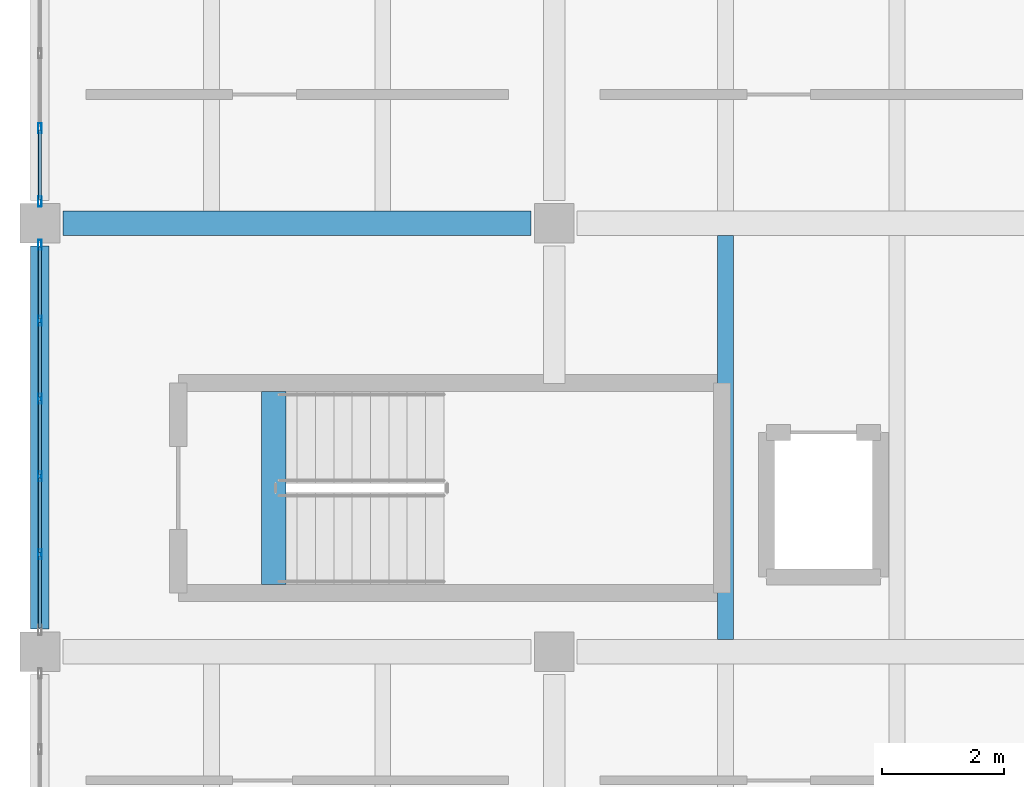
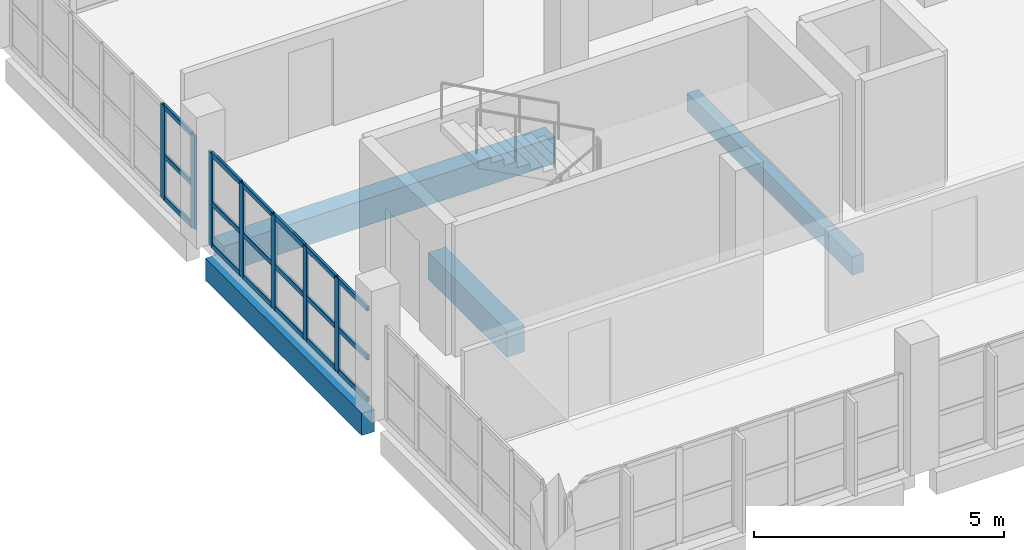
# One storey, part 4 of 33: 25 members, 4 beams, 2 elements without a shape of their own.
"""IFC4 building model written with IfcOpenShell, lengths in metres."""

from ifc_helpers import new_model, si_unit, direction, frame, origin, origin_2d, place, context, subcontext, project, spatial, rectangle, hollow_rectangle, extrude, material, layer, layer_set, material_profile, profile_set, type_object, element, aggregate, save


model = new_model("IFC4")

# Units and contexts
model_context = context("Model", 3, precision=1e-05, world=origin(), true_north=direction((0.0, 1.0)))
body_context = subcontext(model_context, "Body", "Model", "MODEL_VIEW")
ifc_project = project(units=[si_unit("LENGTHUNIT", "METRE"), si_unit("AREAUNIT", "SQUARE_METRE"), si_unit("VOLUMEUNIT", "CUBIC_METRE"), si_unit("PLANEANGLEUNIT", "RADIAN"), si_unit("MASSUNIT", "GRAM", prefix="KILO"), si_unit("THERMODYNAMICTEMPERATUREUNIT", "KELVIN"), si_unit("POWERUNIT", "WATT")], contexts=[model_context])

# Site, building, storey
site_placement = place(None, origin())
site = spatial("IfcSite", under=ifc_project, at=site_placement, CompositionType="ELEMENT")
building_placement = place(site_placement, origin())
building = spatial("IfcBuilding", under=site, at=building_placement, Name="Mavoryth Pier Ferry Terminal", CompositionType="ELEMENT")
storey_placement = place(building_placement, frame((0.0, 0.0, 13.1201171875)))
storey = spatial("IfcBuildingStorey", under=building, at=storey_placement, Name="L03", CompositionType="ELEMENT", Elevation=13.1201171875)

# Beams
ifc_material_1 = material(Name="Concrete C35/45", Category="concrete")
ifc_material_profile_1 = material_profile(ifc_material_1, rectangle(XDim=0.39990234375, YDim=0.64990234375, at=origin_2d()), Name="RC 400x650", Category="concrete")
ifc_profile_set_1 = profile_set([ifc_material_profile_1], Name="Concrete C35/45 - RC 400x650")
beam_type_1 = type_object("IfcBeamType", Name="Girder-RC-400x650", PredefinedType="BEAM", material=ifc_profile_set_1)
beam_1_placement = place(storey_placement, frame((42.375, 14.0, -0.585205078125), z_axis=(1.0, 0.0, 0.0), x_axis=(0.0, 1.0, 0.0)))
element("IfcBeam", 1, at=beam_1_placement, inside=storey, type_object=beam_type_1, Name="Beam B03-BG05-1245", PredefinedType="BEAM", context=body_context, shape_type="SweptSolid", body=[
    extrude(rectangle(XDim=0.39990234375, YDim=0.64990234375, at=origin_2d()), origin(), (0.0, 0.0, 1.0), 7.64990234375),
])
beam_2_placement = place(storey_placement, frame((45.820068359375, 8.10009765625, -0.3251953125), z_axis=(0.0, 1.0, 0.0), x_axis=(-1.0, 0.0, 0.0)))
element("IfcBeam", 2, at=beam_2_placement, inside=storey, type_object=beam_type_1, Name="Beam B03-BG05-1586", PredefinedType="BEAM", context=body_context, shape_type="SweptSolid", body=[
    extrude(rectangle(XDim=0.39990234375, YDim=0.64990234375, at=origin_2d()), origin(), (0.0, 0.0, 1.0), 3.14990234375),
])
ifc_material_profile_2 = material_profile(ifc_material_1, rectangle(XDim=0.260009765625, YDim=0.449951171875, at=origin_2d()), Name="RC 260x450", Category="concrete")
ifc_profile_set_2 = profile_set([ifc_material_profile_2], Name="Concrete C35/45 - RC 260x450")
beam_type_2 = type_object("IfcBeamType", Name="Joist-RC-260x450", PredefinedType="JOIST", material=ifc_profile_set_2)
beam_3_placement = place(storey_placement, frame((53.199951171875, 7.199951171875, -0.485107421875), z_axis=(0.0, 1.0, 0.0), x_axis=(-1.0, 0.0, 0.0)))
element("IfcBeam", 3, at=beam_3_placement, inside=storey, type_object=beam_type_2, Name="Beam B03-BJ03-1284", PredefinedType="JOIST", context=body_context, shape_type="SweptSolid", body=[
    extrude(rectangle(XDim=0.260009765625, YDim=0.449951171875, at=origin_2d()), origin(), (0.0, 0.0, 1.0), 6.60009765625),
])

# Curtain wall, members
ifc_material_2 = material(Name="Anodised Aluminium and Solar-Control Low-E Glass", Category="aluminium")
ifc_layer = layer(ifc_material_2, 0.239990234375, Name="Anodised Aluminium and Solar-Control Low-E Glass", Category="aluminium")
ifc_layer_set = layer_set([ifc_layer], Name="Anodised Aluminium and Solar-Control Low-E Glass - CW-Operations-Mod1200")
curtain_wall_type = type_object("IfcCurtainWallType", Name="CW-Operations-Mod1200", PredefinedType="USERDEFINED", material=ifc_layer_set)
curtain_wall_1_placement = place(storey_placement, origin())
curtain_wall_1 = element("IfcCurtainWall", 4, at=curtain_wall_1_placement, inside=storey, type_object=curtain_wall_type, Name="Curtain Wall CW-0322-147", ObjectType="UNITISED CURTAIN WALL", PredefinedType="USERDEFINED")
ifc_material_3 = material(Name="Anodised Aluminium EN AW-6063", Category="aluminium")
ifc_material_profile_3 = material_profile(ifc_material_3, hollow_rectangle(XDim=0.06005859375, YDim=0.1650390625, WallThickness=0.00390625, InnerFilletRadius=0.00390625, OuterFilletRadius=0.008056640625, at=origin_2d()), Name="AL-MULL 165x60x4", Category="aluminium")
ifc_profile_set_3 = profile_set([ifc_material_profile_3], Name="Anodised Aluminium EN AW-6063 - AL-MULL 165x60x4")
member_type_1 = type_object("IfcMemberType", Name="Mullion-Alum-165x60", PredefinedType="MULLION", material=ifc_profile_set_3)
member_1_placement = place(storey_placement, frame((42.0, 13.64501953125, 0.0), z_axis=(0.0, 0.0, 1.0), x_axis=(1.0, 0.0, 0.0)))
member_1 = element("IfcMember", 5, at=member_1_placement, type_object=member_type_1, Name="CW06 mullion 1", PredefinedType="MULLION", context=body_context, shape_type="SweptSolid", body=[
    extrude(hollow_rectangle(XDim=0.06005859375, YDim=0.1650390625, WallThickness=0.00390625, InnerFilletRadius=0.00390625, OuterFilletRadius=0.008056640625, at=origin_2d()), origin(), (0.0, 0.0, 1.0), 2.27490234375),
])
member_2_placement = place(storey_placement, frame((42.0, 12.405029296875, 0.0), z_axis=(0.0, 0.0, 1.0), x_axis=(1.0, 0.0, 0.0)))
member_2 = element("IfcMember", 6, at=member_2_placement, type_object=member_type_1, Name="CW06 mullion 2", PredefinedType="MULLION", context=body_context, shape_type="SweptSolid", body=[
    extrude(hollow_rectangle(XDim=0.06005859375, YDim=0.1650390625, WallThickness=0.00390625, InnerFilletRadius=0.00390625, OuterFilletRadius=0.008056640625, at=origin_2d()), origin(), (0.0, 0.0, 1.0), 2.27490234375),
])
member_3_placement = place(storey_placement, frame((42.0, 11.135009765625, 0.0), z_axis=(0.0, 0.0, 1.0), x_axis=(1.0, 0.0, 0.0)))
member_3 = element("IfcMember", 7, at=member_3_placement, type_object=member_type_1, Name="CW06 mullion 3", PredefinedType="MULLION", context=body_context, shape_type="SweptSolid", body=[
    extrude(hollow_rectangle(XDim=0.06005859375, YDim=0.1650390625, WallThickness=0.00390625, InnerFilletRadius=0.00390625, OuterFilletRadius=0.008056640625, at=origin_2d()), origin(), (0.0, 0.0, 1.0), 2.27490234375),
])
member_4_placement = place(storey_placement, frame((42.0, 9.864990234375, 0.0), z_axis=(0.0, 0.0, 1.0), x_axis=(1.0, 0.0, 0.0)))
member_4 = element("IfcMember", 8, at=member_4_placement, type_object=member_type_1, Name="CW06 mullion 4", PredefinedType="MULLION", context=body_context, shape_type="SweptSolid", body=[
    extrude(hollow_rectangle(XDim=0.06005859375, YDim=0.1650390625, WallThickness=0.00390625, InnerFilletRadius=0.00390625, OuterFilletRadius=0.008056640625, at=origin_2d()), origin(), (0.0, 0.0, 1.0), 2.27490234375),
])
member_5_placement = place(storey_placement, frame((42.0, 8.594970703125, 0.0), z_axis=(0.0, 0.0, 1.0), x_axis=(1.0, 0.0, 0.0)))
member_5 = element("IfcMember", 9, at=member_5_placement, type_object=member_type_1, Name="CW06 mullion 5", PredefinedType="MULLION", context=body_context, shape_type="SweptSolid", body=[
    extrude(hollow_rectangle(XDim=0.06005859375, YDim=0.1650390625, WallThickness=0.00390625, InnerFilletRadius=0.00390625, OuterFilletRadius=0.008056640625, at=origin_2d()), origin(), (0.0, 0.0, 1.0), 2.27490234375),
])

curtain_wall_2_placement = place(storey_placement, origin())
curtain_wall_2 = element("IfcCurtainWall", 10, at=curtain_wall_2_placement, inside=storey, type_object=curtain_wall_type, Name="Curtain Wall CW-0322-148", ObjectType="UNITISED CURTAIN WALL", PredefinedType="USERDEFINED")
member_6_placement = place(storey_placement, frame((42.0, 15.550048828125, 0.0), z_axis=(0.0, 0.0, 1.0), x_axis=(1.0, 0.0, 0.0)))
member_6 = element("IfcMember", 11, at=member_6_placement, type_object=member_type_1, Name="CW06 mullion 6", PredefinedType="MULLION", context=body_context, shape_type="SweptSolid", body=[
    extrude(hollow_rectangle(XDim=0.06005859375, YDim=0.1650390625, WallThickness=0.00390625, InnerFilletRadius=0.00390625, OuterFilletRadius=0.008056640625, at=origin_2d()), origin(), (0.0, 0.0, 1.0), 2.27490234375),
])
member_7_placement = place(storey_placement, frame((42.0, 14.35498046875, 0.0), z_axis=(0.0, 0.0, 1.0), x_axis=(1.0, 0.0, 0.0)))
member_7 = element("IfcMember", 12, at=member_7_placement, type_object=member_type_1, Name="CW06 mullion 7", PredefinedType="MULLION", context=body_context, shape_type="SweptSolid", body=[
    extrude(hollow_rectangle(XDim=0.06005859375, YDim=0.1650390625, WallThickness=0.00390625, InnerFilletRadius=0.00390625, OuterFilletRadius=0.008056640625, at=origin_2d()), origin(), (0.0, 0.0, 1.0), 2.27490234375),
])

# Beam
ifc_material_profile_4 = material_profile(ifc_material_1, rectangle(XDim=0.300048828125, YDim=0.5400390625, at=origin_2d()), Name="RC 300x540", Category="concrete")
ifc_profile_set_4 = profile_set([ifc_material_profile_4], Name="Concrete C35/45 - RC 300x540")
beam_type_3 = type_object("IfcBeamType", Name="Spandrel-RC-300x540", PredefinedType="SPANDREL", material=ifc_profile_set_4)
beam_4_placement = place(storey_placement, frame((42.0, 7.375, -0.530029296875), z_axis=(0.0, 1.0, 0.0), x_axis=(-1.0, 0.0, 0.0)))
element("IfcBeam", 13, at=beam_4_placement, inside=storey, type_object=beam_type_3, Name="Beam B03-SP02-1258", PredefinedType="SPANDREL", context=body_context, shape_type="SweptSolid", body=[
    extrude(rectangle(XDim=0.300048828125, YDim=0.5400390625, at=origin_2d()), origin(), (0.0, 0.0, 1.0), 6.25),
])

# Member
ifc_material_profile_5 = material_profile(ifc_material_3, hollow_rectangle(XDim=0.06005859375, YDim=0.125, WallThickness=0.00390625, InnerFilletRadius=0.00390625, OuterFilletRadius=0.008056640625, at=origin_2d()), Name="AL-TRAN 125x60x4", Category="aluminium")
ifc_profile_set_5 = profile_set([ifc_material_profile_5], Name="Anodised Aluminium EN AW-6063 - AL-TRAN 125x60x4")
member_type_2 = type_object("IfcMemberType", Name="Transom-Alum-125x60", PredefinedType="USERDEFINED", material=ifc_profile_set_5)
member_8_placement = place(storey_placement, frame((42.0, 13.614990234375, 0.02978515625), z_axis=(0.0, -1.0, 0.0), x_axis=(1.0, 0.0, 0.0)))
member_8 = element("IfcMember", 14, at=member_8_placement, type_object=member_type_2, Name="CW06 transom 1.1", ObjectType="TRANSOM", PredefinedType="USERDEFINED", context=body_context, shape_type="SweptSolid", body=[
    extrude(hollow_rectangle(XDim=0.06005859375, YDim=0.125, WallThickness=0.00390625, InnerFilletRadius=0.00390625, OuterFilletRadius=0.008056640625, at=origin_2d()), origin(), (0.0, 0.0, 1.0), 1.179931640625),
])

member_9_placement = place(storey_placement, frame((42.0, 13.614990234375, 1.0498046875), z_axis=(0.0, -1.0, 0.0), x_axis=(1.0, 0.0, 0.0)))
member_9 = element("IfcMember", 15, at=member_9_placement, type_object=member_type_2, Name="CW06 transom 1.2", ObjectType="TRANSOM", PredefinedType="USERDEFINED", context=body_context, shape_type="SweptSolid", body=[
    extrude(hollow_rectangle(XDim=0.06005859375, YDim=0.125, WallThickness=0.00390625, InnerFilletRadius=0.00390625, OuterFilletRadius=0.008056640625, at=origin_2d()), origin(), (0.0, 0.0, 1.0), 1.179931640625),
])

member_10_placement = place(storey_placement, frame((42.0, 13.614990234375, 2.244873046875), z_axis=(0.0, -1.0, 0.0), x_axis=(1.0, 0.0, 0.0)))
member_10 = element("IfcMember", 16, at=member_10_placement, type_object=member_type_2, Name="CW06 transom 1.3", ObjectType="TRANSOM", PredefinedType="USERDEFINED", context=body_context, shape_type="SweptSolid", body=[
    extrude(hollow_rectangle(XDim=0.06005859375, YDim=0.125, WallThickness=0.00390625, InnerFilletRadius=0.00390625, OuterFilletRadius=0.008056640625, at=origin_2d()), origin(), (0.0, 0.0, 1.0), 1.179931640625),
])

member_11_placement = place(storey_placement, frame((42.0, 12.375, 0.02978515625), z_axis=(0.0, -1.0, 0.0), x_axis=(1.0, 0.0, 0.0)))
member_11 = element("IfcMember", 17, at=member_11_placement, type_object=member_type_2, Name="CW06 transom 2.1", ObjectType="TRANSOM", PredefinedType="USERDEFINED", context=body_context, shape_type="SweptSolid", body=[
    extrude(hollow_rectangle(XDim=0.06005859375, YDim=0.125, WallThickness=0.00390625, InnerFilletRadius=0.00390625, OuterFilletRadius=0.008056640625, at=origin_2d()), origin(), (0.0, 0.0, 1.0), 1.2099609375),
])

member_12_placement = place(storey_placement, frame((42.0, 12.375, 1.0498046875), z_axis=(0.0, -1.0, 0.0), x_axis=(1.0, 0.0, 0.0)))
member_12 = element("IfcMember", 18, at=member_12_placement, type_object=member_type_2, Name="CW06 transom 2.2", ObjectType="TRANSOM", PredefinedType="USERDEFINED", context=body_context, shape_type="SweptSolid", body=[
    extrude(hollow_rectangle(XDim=0.06005859375, YDim=0.125, WallThickness=0.00390625, InnerFilletRadius=0.00390625, OuterFilletRadius=0.008056640625, at=origin_2d()), origin(), (0.0, 0.0, 1.0), 1.2099609375),
])

member_13_placement = place(storey_placement, frame((42.0, 12.375, 2.244873046875), z_axis=(0.0, -1.0, 0.0), x_axis=(1.0, 0.0, 0.0)))
member_13 = element("IfcMember", 19, at=member_13_placement, type_object=member_type_2, Name="CW06 transom 2.3", ObjectType="TRANSOM", PredefinedType="USERDEFINED", context=body_context, shape_type="SweptSolid", body=[
    extrude(hollow_rectangle(XDim=0.06005859375, YDim=0.125, WallThickness=0.00390625, InnerFilletRadius=0.00390625, OuterFilletRadius=0.008056640625, at=origin_2d()), origin(), (0.0, 0.0, 1.0), 1.2099609375),
])

member_14_placement = place(storey_placement, frame((42.0, 11.10498046875, 0.02978515625), z_axis=(0.0, -1.0, 0.0), x_axis=(1.0, 0.0, 0.0)))
member_14 = element("IfcMember", 20, at=member_14_placement, type_object=member_type_2, Name="CW06 transom 3.1", ObjectType="TRANSOM", PredefinedType="USERDEFINED", context=body_context, shape_type="SweptSolid", body=[
    extrude(hollow_rectangle(XDim=0.06005859375, YDim=0.125, WallThickness=0.00390625, InnerFilletRadius=0.00390625, OuterFilletRadius=0.008056640625, at=origin_2d()), origin(), (0.0, 0.0, 1.0), 1.2099609375),
])

member_15_placement = place(storey_placement, frame((42.0, 11.10498046875, 1.0498046875), z_axis=(0.0, -1.0, 0.0), x_axis=(1.0, 0.0, 0.0)))
member_15 = element("IfcMember", 21, at=member_15_placement, type_object=member_type_2, Name="CW06 transom 3.2", ObjectType="TRANSOM", PredefinedType="USERDEFINED", context=body_context, shape_type="SweptSolid", body=[
    extrude(hollow_rectangle(XDim=0.06005859375, YDim=0.125, WallThickness=0.00390625, InnerFilletRadius=0.00390625, OuterFilletRadius=0.008056640625, at=origin_2d()), origin(), (0.0, 0.0, 1.0), 1.2099609375),
])

member_16_placement = place(storey_placement, frame((42.0, 11.10498046875, 2.244873046875), z_axis=(0.0, -1.0, 0.0), x_axis=(1.0, 0.0, 0.0)))
member_16 = element("IfcMember", 22, at=member_16_placement, type_object=member_type_2, Name="CW06 transom 3.3", ObjectType="TRANSOM", PredefinedType="USERDEFINED", context=body_context, shape_type="SweptSolid", body=[
    extrude(hollow_rectangle(XDim=0.06005859375, YDim=0.125, WallThickness=0.00390625, InnerFilletRadius=0.00390625, OuterFilletRadius=0.008056640625, at=origin_2d()), origin(), (0.0, 0.0, 1.0), 1.2099609375),
])

member_17_placement = place(storey_placement, frame((42.0, 9.8349609375, 0.02978515625), z_axis=(0.0, -1.0, 0.0), x_axis=(1.0, 0.0, 0.0)))
member_17 = element("IfcMember", 23, at=member_17_placement, type_object=member_type_2, Name="CW06 transom 4.1", ObjectType="TRANSOM", PredefinedType="USERDEFINED", context=body_context, shape_type="SweptSolid", body=[
    extrude(hollow_rectangle(XDim=0.06005859375, YDim=0.125, WallThickness=0.00390625, InnerFilletRadius=0.00390625, OuterFilletRadius=0.008056640625, at=origin_2d()), origin(), (0.0, 0.0, 1.0), 1.2099609375),
])

member_18_placement = place(storey_placement, frame((42.0, 9.8349609375, 1.0498046875), z_axis=(0.0, -1.0, 0.0), x_axis=(1.0, 0.0, 0.0)))
member_18 = element("IfcMember", 24, at=member_18_placement, type_object=member_type_2, Name="CW06 transom 4.2", ObjectType="TRANSOM", PredefinedType="USERDEFINED", context=body_context, shape_type="SweptSolid", body=[
    extrude(hollow_rectangle(XDim=0.06005859375, YDim=0.125, WallThickness=0.00390625, InnerFilletRadius=0.00390625, OuterFilletRadius=0.008056640625, at=origin_2d()), origin(), (0.0, 0.0, 1.0), 1.2099609375),
])

member_19_placement = place(storey_placement, frame((42.0, 9.8349609375, 2.244873046875), z_axis=(0.0, -1.0, 0.0), x_axis=(1.0, 0.0, 0.0)))
member_19 = element("IfcMember", 25, at=member_19_placement, type_object=member_type_2, Name="CW06 transom 4.3", ObjectType="TRANSOM", PredefinedType="USERDEFINED", context=body_context, shape_type="SweptSolid", body=[
    extrude(hollow_rectangle(XDim=0.06005859375, YDim=0.125, WallThickness=0.00390625, InnerFilletRadius=0.00390625, OuterFilletRadius=0.008056640625, at=origin_2d()), origin(), (0.0, 0.0, 1.0), 1.2099609375),
])

member_20_placement = place(storey_placement, frame((42.0, 8.56494140625, 0.02978515625), z_axis=(0.0, -1.0, 0.0), x_axis=(1.0, 0.0, 0.0)))
member_20 = element("IfcMember", 26, at=member_20_placement, type_object=member_type_2, Name="CW06 transom 5.1", ObjectType="TRANSOM", PredefinedType="USERDEFINED", context=body_context, shape_type="SweptSolid", body=[
    extrude(hollow_rectangle(XDim=0.06005859375, YDim=0.125, WallThickness=0.00390625, InnerFilletRadius=0.00390625, OuterFilletRadius=0.008056640625, at=origin_2d()), origin(), (0.0, 0.0, 1.0), 1.179931640625),
])

member_21_placement = place(storey_placement, frame((42.0, 8.56494140625, 1.0498046875), z_axis=(0.0, -1.0, 0.0), x_axis=(1.0, 0.0, 0.0)))
member_21 = element("IfcMember", 27, at=member_21_placement, type_object=member_type_2, Name="CW06 transom 5.2", ObjectType="TRANSOM", PredefinedType="USERDEFINED", context=body_context, shape_type="SweptSolid", body=[
    extrude(hollow_rectangle(XDim=0.06005859375, YDim=0.125, WallThickness=0.00390625, InnerFilletRadius=0.00390625, OuterFilletRadius=0.008056640625, at=origin_2d()), origin(), (0.0, 0.0, 1.0), 1.179931640625),
])

member_22_placement = place(storey_placement, frame((42.0, 8.56494140625, 2.244873046875), z_axis=(0.0, -1.0, 0.0), x_axis=(1.0, 0.0, 0.0)))
member_22 = element("IfcMember", 28, at=member_22_placement, type_object=member_type_2, Name="CW06 transom 5.3", ObjectType="TRANSOM", PredefinedType="USERDEFINED", context=body_context, shape_type="SweptSolid", body=[
    extrude(hollow_rectangle(XDim=0.06005859375, YDim=0.125, WallThickness=0.00390625, InnerFilletRadius=0.00390625, OuterFilletRadius=0.008056640625, at=origin_2d()), origin(), (0.0, 0.0, 1.0), 1.179931640625),
])

aggregate(curtain_wall_1, [member_1, member_2, member_3, member_4, member_5, member_8, member_9, member_10, member_11, member_12, member_13, member_14, member_15, member_16, member_17, member_18, member_19, member_20, member_21, member_22])

member_23_placement = place(storey_placement, frame((42.0, 15.52001953125, 0.02978515625), z_axis=(0.0, -1.0, 0.0), x_axis=(1.0, 0.0, 0.0)))
member_23 = element("IfcMember", 29, at=member_23_placement, type_object=member_type_2, Name="CW06 transom 6.1", ObjectType="TRANSOM", PredefinedType="USERDEFINED", context=body_context, shape_type="SweptSolid", body=[
    extrude(hollow_rectangle(XDim=0.06005859375, YDim=0.125, WallThickness=0.00390625, InnerFilletRadius=0.00390625, OuterFilletRadius=0.008056640625, at=origin_2d()), origin(), (0.0, 0.0, 1.0), 1.135009765625),
])

member_24_placement = place(storey_placement, frame((42.0, 15.52001953125, 1.0498046875), z_axis=(0.0, -1.0, 0.0), x_axis=(1.0, 0.0, 0.0)))
member_24 = element("IfcMember", 30, at=member_24_placement, type_object=member_type_2, Name="CW06 transom 6.2", ObjectType="TRANSOM", PredefinedType="USERDEFINED", context=body_context, shape_type="SweptSolid", body=[
    extrude(hollow_rectangle(XDim=0.06005859375, YDim=0.125, WallThickness=0.00390625, InnerFilletRadius=0.00390625, OuterFilletRadius=0.008056640625, at=origin_2d()), origin(), (0.0, 0.0, 1.0), 1.135009765625),
])

member_25_placement = place(storey_placement, frame((42.0, 15.52001953125, 2.244873046875), z_axis=(0.0, -1.0, 0.0), x_axis=(1.0, 0.0, 0.0)))
member_25 = element("IfcMember", 31, at=member_25_placement, type_object=member_type_2, Name="CW06 transom 6.3", ObjectType="TRANSOM", PredefinedType="USERDEFINED", context=body_context, shape_type="SweptSolid", body=[
    extrude(hollow_rectangle(XDim=0.06005859375, YDim=0.125, WallThickness=0.00390625, InnerFilletRadius=0.00390625, OuterFilletRadius=0.008056640625, at=origin_2d()), origin(), (0.0, 0.0, 1.0), 1.135009765625),
])

aggregate(curtain_wall_2, [member_6, member_7, member_23, member_24, member_25])

save(model, "model.ifc")
